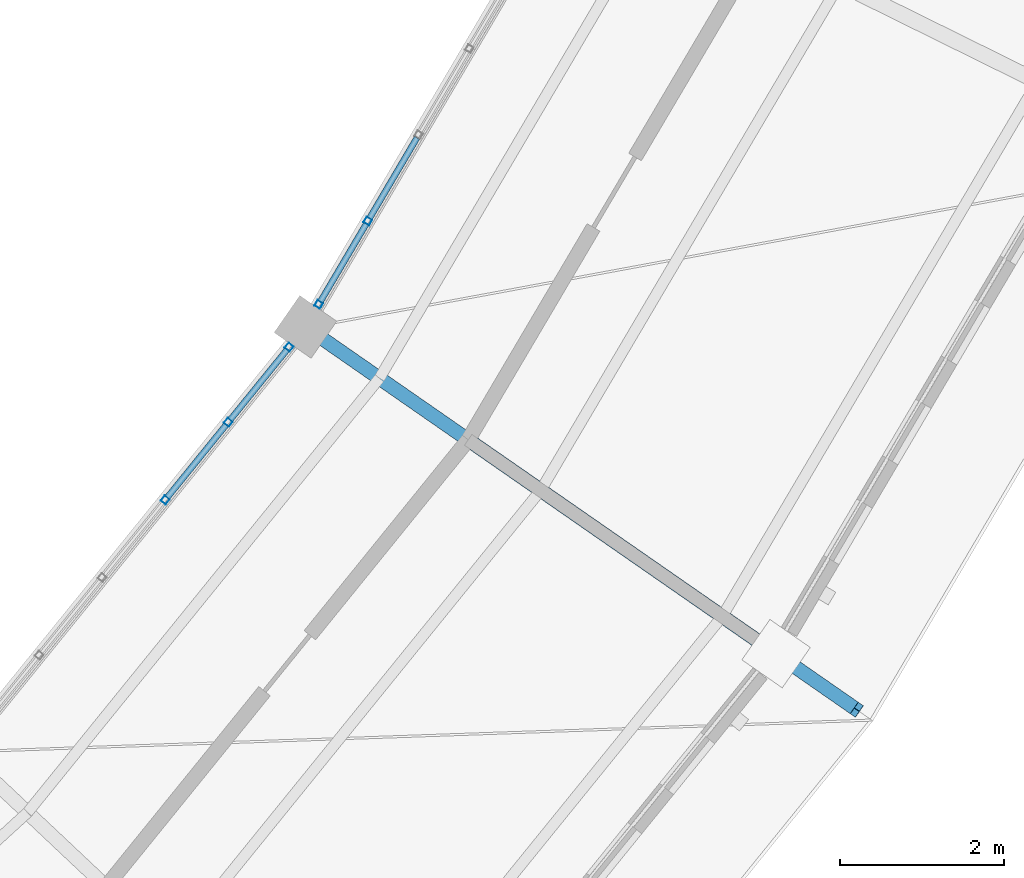
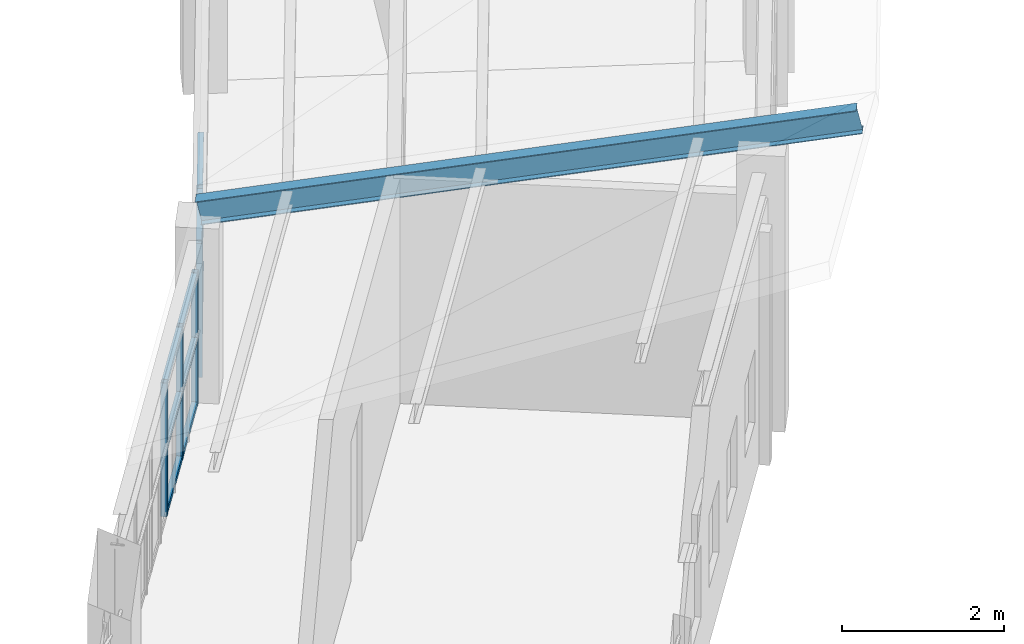
# One storey, part 53 of 149: 18 members, 2 elements without a shape of their own.
"""IFC4 building model written with IfcOpenShell, lengths in metres."""

from ifc_helpers import new_model, si_unit, direction, frame, origin, origin_2d, place, context, subcontext, project, spatial, hollow_rectangle, i_section, extrude, material, material_profile, profile_set, type_object, element, aggregate, save


model = new_model("IFC4")

# Units and contexts
model_context = context("Model", 3, precision=1e-05, world=origin(), true_north=direction((0.0, 1.0)))
body_context = subcontext(model_context, "Body", "Model", "MODEL_VIEW")
ifc_project = project(units=[si_unit("LENGTHUNIT", "METRE"), si_unit("AREAUNIT", "SQUARE_METRE"), si_unit("VOLUMEUNIT", "CUBIC_METRE"), si_unit("PLANEANGLEUNIT", "RADIAN"), si_unit("MASSUNIT", "GRAM", prefix="KILO")], contexts=[model_context])

# Site, building, storey
site_placement = place(None, origin())
site = spatial("IfcSite", under=ifc_project, at=site_placement, CompositionType="ELEMENT")
building_placement = place(site_placement, origin())
building = spatial("IfcBuilding", under=site, at=building_placement, Name="Celadon Cloister-Ring School", CompositionType="ELEMENT")
storey_placement = place(building_placement, frame((0.0, 0.0, 12.5)))
storey = spatial("IfcBuildingStorey", under=building, at=storey_placement, Name="L03", CompositionType="ELEMENT", Elevation=12.5)

# Curtain wall, members
ifc_material_1 = material(Name="Aluminium EN AW-6063 T6", Category="aluminium")
curtain_wall_type = type_object("IfcCurtainWallType", Name="CW-02", PredefinedType="USERDEFINED", material=ifc_material_1)
curtain_wall_1_placement = place(storey_placement, origin())
curtain_wall_1 = element("IfcCurtainWall", 1, at=curtain_wall_1_placement, inside=storey, type_object=curtain_wall_type, Name="Curtain Wall 0067", ObjectType="CURTAIN WALL", PredefinedType="USERDEFINED")
ifc_material_2 = material(Name="Aluminium EN AW-6063 T6", Category="aluminium")
ifc_material_profile_1 = material_profile(ifc_material_2, hollow_rectangle(XDim=0.080078125, YDim=0.080078125, WallThickness=0.00390625, at=origin_2d()), Name="RHS80X80X4")
ifc_profile_set_1 = profile_set([ifc_material_profile_1], Name="Aluminium EN AW-6063 T6")
member_type_1 = type_object("IfcMemberType", Name="CM-03", PredefinedType="MULLION", material=ifc_profile_set_1)
member_1_placement = place(storey_placement, frame((122.248291015625, 31.218017578125, 0.0), z_axis=(0.0, 0.0, 1.0), x_axis=(-0.776779557155, 0.62977259355, 0.0)))
member_1 = element("IfcMember", 2, at=member_1_placement, type_object=member_type_1, Name="CW-02 mullion 4", PredefinedType="MULLION", context=body_context, shape_type="SweptSolid", body=[
    extrude(hollow_rectangle(XDim=0.080078125, YDim=0.080078125, WallThickness=0.00390625, at=origin_2d()), origin(), (0.0, 0.0, 1.0), 2.02001953125),
])
member_2_placement = place(storey_placement, frame((123.017578125, 32.1669921875, 0.0), z_axis=(0.0, 0.0, 1.0), x_axis=(-0.776779557155, 0.62977259355, 0.0)))
member_2 = element("IfcMember", 3, at=member_2_placement, type_object=member_type_1, Name="CW-02 mullion 5", PredefinedType="MULLION", context=body_context, shape_type="SweptSolid", body=[
    extrude(hollow_rectangle(XDim=0.080078125, YDim=0.080078125, WallThickness=0.00390625, at=origin_2d()), origin(), (0.0, 0.0, 1.0), 2.02001953125),
])
member_3_placement = place(storey_placement, frame((123.76171875, 33.0849609375, 0.0), z_axis=(0.0, 0.0, 1.0), x_axis=(-0.776779557155, 0.62977259355, 0.0)))
member_3 = element("IfcMember", 4, at=member_3_placement, type_object=member_type_1, Name="CW-02 mullion 6", PredefinedType="MULLION", context=body_context, shape_type="SweptSolid", body=[
    extrude(hollow_rectangle(XDim=0.080078125, YDim=0.080078125, WallThickness=0.00390625, at=origin_2d()), origin(), (0.0, 0.0, 1.0), 2.02001953125),
])

curtain_wall_2_placement = place(storey_placement, origin())
curtain_wall_2 = element("IfcCurtainWall", 5, at=curtain_wall_2_placement, inside=storey, type_object=curtain_wall_type, Name="Curtain Wall 0068", ObjectType="CURTAIN WALL", PredefinedType="USERDEFINED")
member_4_placement = place(storey_placement, frame((124.124267578125, 33.607421875, 0.0), z_axis=(0.0, 0.0, 1.0), x_axis=(-0.861424661152, 0.507885374036, 0.0)))
member_4 = element("IfcMember", 6, at=member_4_placement, type_object=member_type_1, Name="CW-02 mullion 1", PredefinedType="MULLION", context=body_context, shape_type="SweptSolid", body=[
    extrude(hollow_rectangle(XDim=0.080078125, YDim=0.080078125, WallThickness=0.00390625, at=origin_2d()), origin(), (0.0, 0.0, 1.0), 2.02001953125),
])
member_5_placement = place(storey_placement, frame((124.724609375, 34.62548828125, 0.0), z_axis=(0.0, 0.0, 1.0), x_axis=(-0.861424661152, 0.507885374036, 0.0)))
member_5 = element("IfcMember", 7, at=member_5_placement, type_object=member_type_1, Name="CW-02 mullion 2", PredefinedType="MULLION", context=body_context, shape_type="SweptSolid", body=[
    extrude(hollow_rectangle(XDim=0.080078125, YDim=0.080078125, WallThickness=0.00390625, at=origin_2d()), origin(), (0.0, 0.0, 1.0), 2.02001953125),
])

# Member
ifc_material_3 = material(Name="Aluminium EN AW-6063 T6", Category="aluminium")
ifc_material_profile_2 = material_profile(ifc_material_3, hollow_rectangle(XDim=0.074951171875, YDim=0.074951171875, WallThickness=0.00390625, at=origin_2d()), Name="RHS75X75X4")
ifc_profile_set_2 = profile_set([ifc_material_profile_2], Name="Aluminium EN AW-6063 T6")
member_type_2 = type_object("IfcMemberType", Name="CTM-03", PredefinedType="USERDEFINED", material=ifc_profile_set_2)
member_6_placement = place(storey_placement, frame((122.2734375, 31.2490234375, 0.03759765625), z_axis=(0.6297147847, 0.776826422008, 0.0), x_axis=(-0.776826422008, 0.6297147847, 0.0)))
member_6 = element("IfcMember", 8, at=member_6_placement, type_object=member_type_2, Name="CW-02 transom 4.1", ObjectType="TRANSOM", PredefinedType="USERDEFINED", context=body_context, shape_type="SweptSolid", body=[
    extrude(hollow_rectangle(XDim=0.074951171875, YDim=0.074951171875, WallThickness=0.00390625, at=origin_2d()), origin(), (0.0, 0.0, 1.0), 1.141845703125),
])

member_7_placement = place(storey_placement, frame((122.2734375, 31.2490234375, 1.010009765625), z_axis=(0.6297147847, 0.776826422008, 0.0), x_axis=(-0.776826422008, 0.6297147847, 0.0)))
member_7 = element("IfcMember", 9, at=member_7_placement, type_object=member_type_2, Name="CW-02 transom 4.2", ObjectType="TRANSOM", PredefinedType="USERDEFINED", context=body_context, shape_type="SweptSolid", body=[
    extrude(hollow_rectangle(XDim=0.074951171875, YDim=0.074951171875, WallThickness=0.00390625, at=origin_2d()), origin(), (0.0, 0.0, 1.0), 1.141845703125),
])

member_8_placement = place(storey_placement, frame((122.2734375, 31.2490234375, 1.982421875), z_axis=(0.6297147847, 0.776826422008, 0.0), x_axis=(-0.776826422008, 0.6297147847, 0.0)))
member_8 = element("IfcMember", 10, at=member_8_placement, type_object=member_type_2, Name="CW-02 transom 4.3", ObjectType="TRANSOM", PredefinedType="USERDEFINED", context=body_context, shape_type="SweptSolid", body=[
    extrude(hollow_rectangle(XDim=0.074951171875, YDim=0.074951171875, WallThickness=0.00390625, at=origin_2d()), origin(), (0.0, 0.0, 1.0), 1.141845703125),
])

member_9_placement = place(storey_placement, frame((123.042724609375, 32.197998046875, 0.03759765625), z_axis=(0.629708012698, 0.776831911513, 0.0), x_axis=(-0.776831911513, 0.629708012698, 0.0)))
member_9 = element("IfcMember", 11, at=member_9_placement, type_object=member_type_2, Name="CW-02 transom 5.1", ObjectType="TRANSOM", PredefinedType="USERDEFINED", context=body_context, shape_type="SweptSolid", body=[
    extrude(hollow_rectangle(XDim=0.074951171875, YDim=0.074951171875, WallThickness=0.00390625, at=origin_2d()), origin(), (0.0, 0.0, 1.0), 1.101806640625),
])

member_10_placement = place(storey_placement, frame((123.042724609375, 32.197998046875, 1.010009765625), z_axis=(0.629708012698, 0.776831911513, 0.0), x_axis=(-0.776831911513, 0.629708012698, 0.0)))
member_10 = element("IfcMember", 12, at=member_10_placement, type_object=member_type_2, Name="CW-02 transom 5.2", ObjectType="TRANSOM", PredefinedType="USERDEFINED", context=body_context, shape_type="SweptSolid", body=[
    extrude(hollow_rectangle(XDim=0.074951171875, YDim=0.074951171875, WallThickness=0.00390625, at=origin_2d()), origin(), (0.0, 0.0, 1.0), 1.101806640625),
])

member_11_placement = place(storey_placement, frame((123.042724609375, 32.197998046875, 1.982421875), z_axis=(0.629708012698, 0.776831911513, 0.0), x_axis=(-0.776831911513, 0.629708012698, 0.0)))
member_11 = element("IfcMember", 13, at=member_11_placement, type_object=member_type_2, Name="CW-02 transom 5.3", ObjectType="TRANSOM", PredefinedType="USERDEFINED", context=body_context, shape_type="SweptSolid", body=[
    extrude(hollow_rectangle(XDim=0.074951171875, YDim=0.074951171875, WallThickness=0.00390625, at=origin_2d()), origin(), (0.0, 0.0, 1.0), 1.101806640625),
])

aggregate(curtain_wall_1, [member_1, member_2, member_3, member_6, member_7, member_8, member_9, member_10, member_11])

member_12_placement = place(storey_placement, frame((124.14453125, 33.641845703125, 0.03759765625), z_axis=(0.50799766404, 0.861358446484, 0.0), x_axis=(-0.861358446484, 0.50799766404, 0.0)))
member_12 = element("IfcMember", 14, at=member_12_placement, type_object=member_type_2, Name="CW-02 transom 1.1", ObjectType="TRANSOM", PredefinedType="USERDEFINED", context=body_context, shape_type="SweptSolid", body=[
    extrude(hollow_rectangle(XDim=0.074951171875, YDim=0.074951171875, WallThickness=0.00390625, at=origin_2d()), origin(), (0.0, 0.0, 1.0), 1.10205078125),
])

member_13_placement = place(storey_placement, frame((124.14453125, 33.641845703125, 1.010009765625), z_axis=(0.50799766404, 0.861358446484, 0.0), x_axis=(-0.861358446484, 0.50799766404, 0.0)))
member_13 = element("IfcMember", 15, at=member_13_placement, type_object=member_type_2, Name="CW-02 transom 1.2", ObjectType="TRANSOM", PredefinedType="USERDEFINED", context=body_context, shape_type="SweptSolid", body=[
    extrude(hollow_rectangle(XDim=0.074951171875, YDim=0.074951171875, WallThickness=0.00390625, at=origin_2d()), origin(), (0.0, 0.0, 1.0), 1.10205078125),
])

member_14_placement = place(storey_placement, frame((124.14453125, 33.641845703125, 1.982421875), z_axis=(0.50799766404, 0.861358446484, 0.0), x_axis=(-0.861358446484, 0.50799766404, 0.0)))
member_14 = element("IfcMember", 16, at=member_14_placement, type_object=member_type_2, Name="CW-02 transom 1.3", ObjectType="TRANSOM", PredefinedType="USERDEFINED", context=body_context, shape_type="SweptSolid", body=[
    extrude(hollow_rectangle(XDim=0.074951171875, YDim=0.074951171875, WallThickness=0.00390625, at=origin_2d()), origin(), (0.0, 0.0, 1.0), 1.10205078125),
])

member_15_placement = place(storey_placement, frame((124.744873046875, 34.66015625, 0.03759765625), z_axis=(0.507972818033, 0.861373099266, 0.0), x_axis=(-0.861373099266, 0.507972818033, 0.0)))
member_15 = element("IfcMember", 17, at=member_15_placement, type_object=member_type_2, Name="CW-02 transom 2.1", ObjectType="TRANSOM", PredefinedType="USERDEFINED", context=body_context, shape_type="SweptSolid", body=[
    extrude(hollow_rectangle(XDim=0.074951171875, YDim=0.074951171875, WallThickness=0.00390625, at=origin_2d()), origin(), (0.0, 0.0, 1.0), 1.141845703125),
])

member_16_placement = place(storey_placement, frame((124.744873046875, 34.66015625, 1.010009765625), z_axis=(0.507972818033, 0.861373099266, 0.0), x_axis=(-0.861373099266, 0.507972818033, 0.0)))
member_16 = element("IfcMember", 18, at=member_16_placement, type_object=member_type_2, Name="CW-02 transom 2.2", ObjectType="TRANSOM", PredefinedType="USERDEFINED", context=body_context, shape_type="SweptSolid", body=[
    extrude(hollow_rectangle(XDim=0.074951171875, YDim=0.074951171875, WallThickness=0.00390625, at=origin_2d()), origin(), (0.0, 0.0, 1.0), 1.141845703125),
])

member_17_placement = place(storey_placement, frame((124.744873046875, 34.66015625, 1.982421875), z_axis=(0.507972818033, 0.861373099266, 0.0), x_axis=(-0.861373099266, 0.507972818033, 0.0)))
member_17 = element("IfcMember", 19, at=member_17_placement, type_object=member_type_2, Name="CW-02 transom 2.3", ObjectType="TRANSOM", PredefinedType="USERDEFINED", context=body_context, shape_type="SweptSolid", body=[
    extrude(hollow_rectangle(XDim=0.074951171875, YDim=0.074951171875, WallThickness=0.00390625, at=origin_2d()), origin(), (0.0, 0.0, 1.0), 1.141845703125),
])

aggregate(curtain_wall_2, [member_4, member_5, member_12, member_13, member_14, member_15, member_16, member_17])

ifc_material_4 = material(Name="Structural steel S355JR", Category="steel")
ifc_material_profile_3 = material_profile(ifc_material_4, i_section(OverallWidth=0.1708984375, OverallDepth=0.35498046875, WebThickness=0.007080078125, FlangeThickness=0.01171875, at=origin_2d()), Name="W360X51")
ifc_profile_set_3 = profile_set([ifc_material_profile_3], Name="Structural steel S355JR")
member_type_3 = type_object("IfcMemberType", Name="MR-05", PredefinedType="RAFTER", material=ifc_profile_set_3)
member_18_placement = place(storey_placement, frame((123.9619140625, 33.3330078125, 2.72607421875), z_axis=(0.801176332797, -0.556273241542, 0.220627660346), x_axis=(0.57032718338, 0.821417618449, 0.0)))
element("IfcMember", 20, at=member_18_placement, inside=storey, type_object=member_type_3, Name="Structural Member 0050", PredefinedType="RAFTER", context=body_context, shape_type="SweptSolid", body=[
    extrude(i_section(OverallWidth=0.1708984375, OverallDepth=0.35498046875, WebThickness=0.007080078125, FlangeThickness=0.01171875, at=origin_2d()), origin(), (0.0, 0.0, 1.0), 8.40771484375),
])

save(model, "model.ifc")
